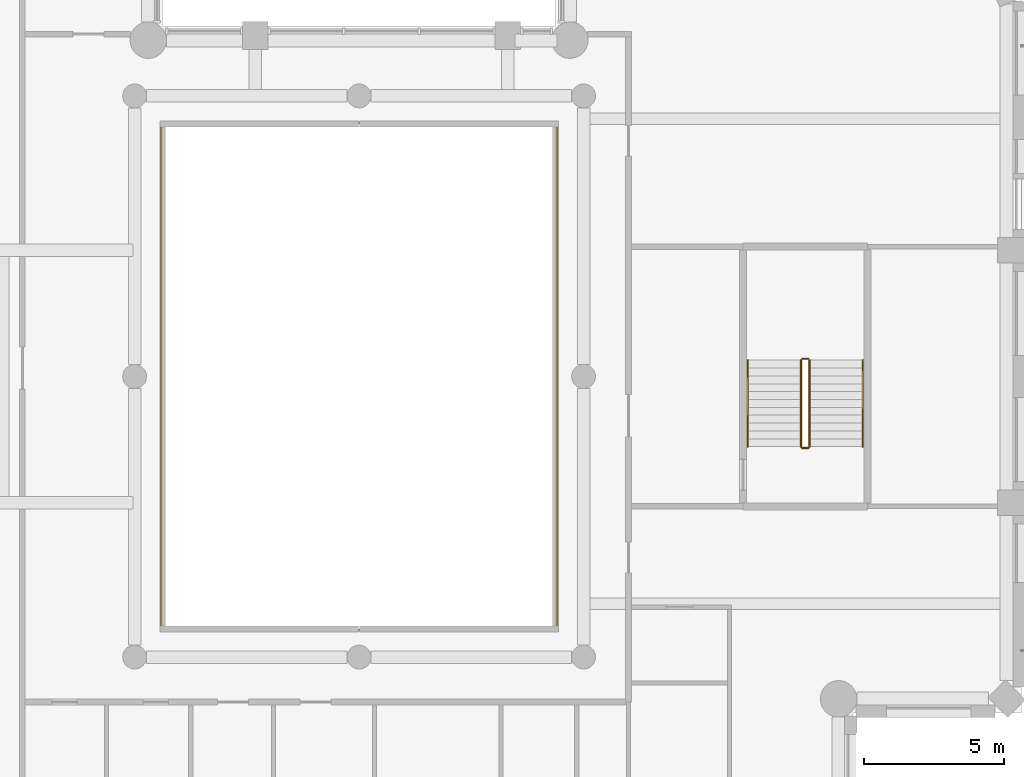
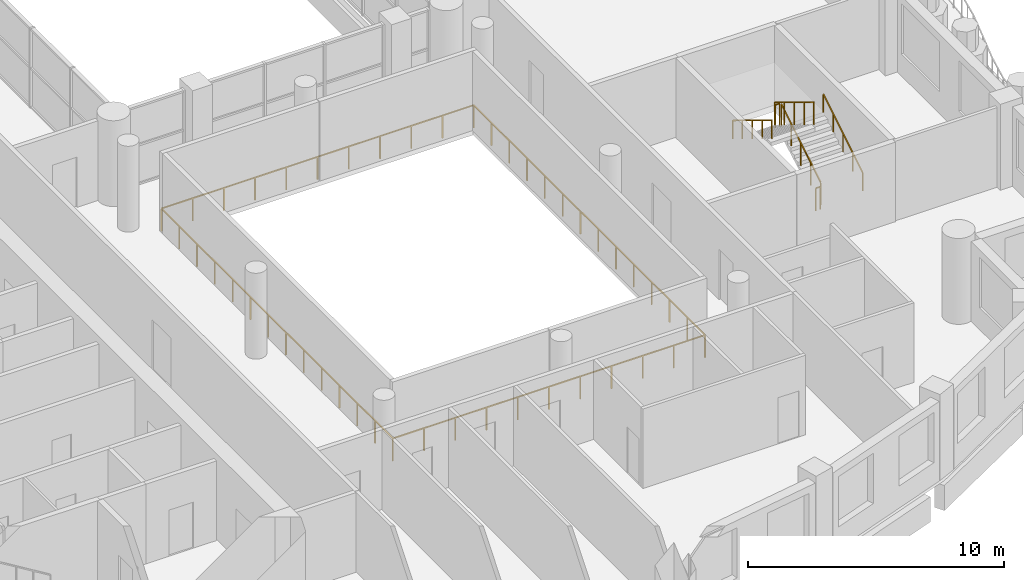
# One storey, part 11 of 14: 7 railings.
"""IFC4 building model written with IfcOpenShell, lengths in metres."""

from ifc_helpers import new_model, si_unit, direction, frame, origin, origin_2d, place, context, subcontext, project, spatial, rectangle, extrude, material, type_object, element, save


model = new_model("IFC4")

# Units and contexts
model_context = context("Model", 3, precision=1e-05, world=origin(), true_north=direction((0.0, 1.0)))
body_context = subcontext(model_context, "Body", "Model", "MODEL_VIEW")
ifc_project = project(units=[si_unit("LENGTHUNIT", "METRE"), si_unit("AREAUNIT", "SQUARE_METRE"), si_unit("VOLUMEUNIT", "CUBIC_METRE"), si_unit("PLANEANGLEUNIT", "RADIAN"), si_unit("MASSUNIT", "GRAM", prefix="KILO")], contexts=[model_context])

# Site, building, storey
site_placement = place(None, origin())
site = spatial("IfcSite", under=ifc_project, at=site_placement, CompositionType="ELEMENT")
building_placement = place(site_placement, origin())
building = spatial("IfcBuilding", under=site, at=building_placement, Name="Cypress Arch Tower", CompositionType="ELEMENT")
storey_placement = place(building_placement, frame((0.0, 0.0, 247.5)))
storey = spatial("IfcBuildingStorey", under=building, at=storey_placement, Name="L55", CompositionType="ELEMENT", Elevation=247.5)

# Railings
ifc_material_1 = material(Name="Stainless steel posts and handrail, laminated glass infill", Category="steel")
railing_type_1 = type_object("IfcRailingType", Name="Atrium guard GR1100A", PredefinedType="GUARDRAIL", material=ifc_material_1)
railing_1_placement = place(storey_placement, frame((8.050048828125, -9.050048828125, 0.0)))
element("IfcRailing", 1, at=railing_1_placement, inside=storey, type_object=railing_type_1, Name="Atrium guard L55", PredefinedType="GUARDRAIL", context=body_context, shape_type="SweptSolid", body=[
    extrude(rectangle(XDim=0.050048828125, YDim=0.050048828125, at=origin_2d()), frame((0.0, 0.0, 1.0751953125), z_axis=(-1.0, 0.0, 0.0), x_axis=(0.0, -1.0, 0.0)), (0.0, 0.0, 1.0), 14.10009765625),
    extrude(rectangle(XDim=0.050048828125, YDim=0.050048828125, at=origin_2d()), frame((-14.10009765625, 0.0, 1.0751953125), z_axis=(0.0, 1.0, 0.0), x_axis=(-1.0, 0.0, 0.0)), (0.0, 0.0, 1.0), 18.10009765625),
    extrude(rectangle(XDim=0.050048828125, YDim=0.050048828125, at=origin_2d()), frame((-14.10009765625, 18.10009765625, 1.0751953125), z_axis=(1.0, 0.0, 0.0), x_axis=(0.0, 1.0, 0.0)), (0.0, 0.0, 1.0), 14.10009765625),
    extrude(rectangle(XDim=0.050048828125, YDim=0.050048828125, at=origin_2d()), frame((0.0, 18.10009765625, 1.0751953125), z_axis=(0.0, -1.0, 0.0), x_axis=(1.0, 0.0, 0.0)), (0.0, 0.0, 1.0), 18.10009765625),
    extrude(rectangle(XDim=0.050048828125, YDim=0.050048828125, at=origin_2d()), origin(), (0.0, 0.0, 1.0), 1.050048828125),
    extrude(rectangle(XDim=0.050048828125, YDim=0.050048828125, at=origin_2d()), frame((-1.409912109375, 0.0, 0.0)), (0.0, 0.0, 1.0), 1.050048828125),
    extrude(rectangle(XDim=0.050048828125, YDim=0.050048828125, at=origin_2d()), frame((-2.820068359375, 0.0, 0.0)), (0.0, 0.0, 1.0), 1.050048828125),
    extrude(rectangle(XDim=0.050048828125, YDim=0.050048828125, at=origin_2d()), frame((-4.22998046875, 0.0, 0.0)), (0.0, 0.0, 1.0), 1.050048828125),
    extrude(rectangle(XDim=0.050048828125, YDim=0.050048828125, at=origin_2d()), frame((-5.64013671875, 0.0, 0.0)), (0.0, 0.0, 1.0), 1.050048828125),
    extrude(rectangle(XDim=0.050048828125, YDim=0.050048828125, at=origin_2d()), frame((-7.050048828125, 0.0, 0.0)), (0.0, 0.0, 1.0), 1.050048828125),
    extrude(rectangle(XDim=0.050048828125, YDim=0.050048828125, at=origin_2d()), frame((-8.4599609375, 0.0, 0.0)), (0.0, 0.0, 1.0), 1.050048828125),
    extrude(rectangle(XDim=0.050048828125, YDim=0.050048828125, at=origin_2d()), frame((-9.8701171875, 0.0, 0.0)), (0.0, 0.0, 1.0), 1.050048828125),
    extrude(rectangle(XDim=0.050048828125, YDim=0.050048828125, at=origin_2d()), frame((-11.280029296875, 0.0, 0.0)), (0.0, 0.0, 1.0), 1.050048828125),
    extrude(rectangle(XDim=0.050048828125, YDim=0.050048828125, at=origin_2d()), frame((-12.690185546875, 0.0, 0.0)), (0.0, 0.0, 1.0), 1.050048828125),
    extrude(rectangle(XDim=0.050048828125, YDim=0.050048828125, at=origin_2d()), frame((-14.10009765625, 0.0, 0.0)), (0.0, 0.0, 1.0), 1.050048828125),
    extrude(rectangle(XDim=0.050048828125, YDim=0.050048828125, at=origin_2d()), frame((-14.10009765625, 1.392333984375, 0.0)), (0.0, 0.0, 1.0), 1.050048828125),
    extrude(rectangle(XDim=0.050048828125, YDim=0.050048828125, at=origin_2d()), frame((-14.10009765625, 2.78466796875, 0.0)), (0.0, 0.0, 1.0), 1.050048828125),
    extrude(rectangle(XDim=0.050048828125, YDim=0.050048828125, at=origin_2d()), frame((-14.10009765625, 4.177001953125, 0.0)), (0.0, 0.0, 1.0), 1.050048828125),
    extrude(rectangle(XDim=0.050048828125, YDim=0.050048828125, at=origin_2d()), frame((-14.10009765625, 5.5693359375, 0.0)), (0.0, 0.0, 1.0), 1.050048828125),
    extrude(rectangle(XDim=0.050048828125, YDim=0.050048828125, at=origin_2d()), frame((-14.10009765625, 6.961669921875, 0.0)), (0.0, 0.0, 1.0), 1.050048828125),
    extrude(rectangle(XDim=0.050048828125, YDim=0.050048828125, at=origin_2d()), frame((-14.10009765625, 8.35400390625, 0.0)), (0.0, 0.0, 1.0), 1.050048828125),
    extrude(rectangle(XDim=0.050048828125, YDim=0.050048828125, at=origin_2d()), frame((-14.10009765625, 9.74609375, 0.0)), (0.0, 0.0, 1.0), 1.050048828125),
    extrude(rectangle(XDim=0.050048828125, YDim=0.050048828125, at=origin_2d()), frame((-14.10009765625, 11.138427734375, 0.0)), (0.0, 0.0, 1.0), 1.050048828125),
    extrude(rectangle(XDim=0.050048828125, YDim=0.050048828125, at=origin_2d()), frame((-14.10009765625, 12.53076171875, 0.0)), (0.0, 0.0, 1.0), 1.050048828125),
    extrude(rectangle(XDim=0.050048828125, YDim=0.050048828125, at=origin_2d()), frame((-14.10009765625, 13.923095703125, 0.0)), (0.0, 0.0, 1.0), 1.050048828125),
    extrude(rectangle(XDim=0.050048828125, YDim=0.050048828125, at=origin_2d()), frame((-14.10009765625, 15.3154296875, 0.0)), (0.0, 0.0, 1.0), 1.050048828125),
    extrude(rectangle(XDim=0.050048828125, YDim=0.050048828125, at=origin_2d()), frame((-14.10009765625, 16.707763671875, 0.0)), (0.0, 0.0, 1.0), 1.050048828125),
    extrude(rectangle(XDim=0.050048828125, YDim=0.050048828125, at=origin_2d()), frame((-14.10009765625, 18.10009765625, 0.0)), (0.0, 0.0, 1.0), 1.050048828125),
    extrude(rectangle(XDim=0.050048828125, YDim=0.050048828125, at=origin_2d()), frame((-12.690185546875, 18.10009765625, 0.0)), (0.0, 0.0, 1.0), 1.050048828125),
    extrude(rectangle(XDim=0.050048828125, YDim=0.050048828125, at=origin_2d()), frame((-11.280029296875, 18.10009765625, 0.0)), (0.0, 0.0, 1.0), 1.050048828125),
    extrude(rectangle(XDim=0.050048828125, YDim=0.050048828125, at=origin_2d()), frame((-9.8701171875, 18.10009765625, 0.0)), (0.0, 0.0, 1.0), 1.050048828125),
    extrude(rectangle(XDim=0.050048828125, YDim=0.050048828125, at=origin_2d()), frame((-8.4599609375, 18.10009765625, 0.0)), (0.0, 0.0, 1.0), 1.050048828125),
    extrude(rectangle(XDim=0.050048828125, YDim=0.050048828125, at=origin_2d()), frame((-7.050048828125, 18.10009765625, 0.0)), (0.0, 0.0, 1.0), 1.050048828125),
    extrude(rectangle(XDim=0.050048828125, YDim=0.050048828125, at=origin_2d()), frame((-5.64013671875, 18.10009765625, 0.0)), (0.0, 0.0, 1.0), 1.050048828125),
    extrude(rectangle(XDim=0.050048828125, YDim=0.050048828125, at=origin_2d()), frame((-4.22998046875, 18.10009765625, 0.0)), (0.0, 0.0, 1.0), 1.050048828125),
    extrude(rectangle(XDim=0.050048828125, YDim=0.050048828125, at=origin_2d()), frame((-2.820068359375, 18.10009765625, 0.0)), (0.0, 0.0, 1.0), 1.050048828125),
    extrude(rectangle(XDim=0.050048828125, YDim=0.050048828125, at=origin_2d()), frame((-1.409912109375, 18.10009765625, 0.0)), (0.0, 0.0, 1.0), 1.050048828125),
    extrude(rectangle(XDim=0.050048828125, YDim=0.050048828125, at=origin_2d()), frame((0.0, 18.10009765625, 0.0)), (0.0, 0.0, 1.0), 1.050048828125),
    extrude(rectangle(XDim=0.050048828125, YDim=0.050048828125, at=origin_2d()), frame((0.0, 16.707763671875, 0.0)), (0.0, 0.0, 1.0), 1.050048828125),
    extrude(rectangle(XDim=0.050048828125, YDim=0.050048828125, at=origin_2d()), frame((0.0, 15.3154296875, 0.0)), (0.0, 0.0, 1.0), 1.050048828125),
    extrude(rectangle(XDim=0.050048828125, YDim=0.050048828125, at=origin_2d()), frame((0.0, 13.923095703125, 0.0)), (0.0, 0.0, 1.0), 1.050048828125),
    extrude(rectangle(XDim=0.050048828125, YDim=0.050048828125, at=origin_2d()), frame((0.0, 12.53076171875, 0.0)), (0.0, 0.0, 1.0), 1.050048828125),
    extrude(rectangle(XDim=0.050048828125, YDim=0.050048828125, at=origin_2d()), frame((0.0, 11.138427734375, 0.0)), (0.0, 0.0, 1.0), 1.050048828125),
    extrude(rectangle(XDim=0.050048828125, YDim=0.050048828125, at=origin_2d()), frame((0.0, 9.74609375, 0.0)), (0.0, 0.0, 1.0), 1.050048828125),
    extrude(rectangle(XDim=0.050048828125, YDim=0.050048828125, at=origin_2d()), frame((0.0, 8.35400390625, 0.0)), (0.0, 0.0, 1.0), 1.050048828125),
    extrude(rectangle(XDim=0.050048828125, YDim=0.050048828125, at=origin_2d()), frame((0.0, 6.961669921875, 0.0)), (0.0, 0.0, 1.0), 1.050048828125),
    extrude(rectangle(XDim=0.050048828125, YDim=0.050048828125, at=origin_2d()), frame((0.0, 5.5693359375, 0.0)), (0.0, 0.0, 1.0), 1.050048828125),
    extrude(rectangle(XDim=0.050048828125, YDim=0.050048828125, at=origin_2d()), frame((0.0, 4.177001953125, 0.0)), (0.0, 0.0, 1.0), 1.050048828125),
    extrude(rectangle(XDim=0.050048828125, YDim=0.050048828125, at=origin_2d()), frame((0.0, 2.78466796875, 0.0)), (0.0, 0.0, 1.0), 1.050048828125),
    extrude(rectangle(XDim=0.050048828125, YDim=0.050048828125, at=origin_2d()), frame((0.0, 1.392333984375, 0.0)), (0.0, 0.0, 1.0), 1.050048828125),
])
ifc_material_2 = material(Name="Black powder-coated steel square bar 48 mm", Category="steel")
railing_type_2 = type_object("IfcRailingType", Name="Stair handrail HR1", PredefinedType="HANDRAIL", material=ifc_material_2)
railing_2_placement = place(storey_placement, frame((18.949951171875, -2.5, 0.1708984375)))
element("IfcRailing", 2, at=railing_2_placement, inside=storey, type_object=railing_type_2, Name="L55 C stair handrail 1", PredefinedType="HANDRAIL", context=body_context, shape_type="SweptSolid", body=[
    extrude(rectangle(XDim=0.048095703125, YDim=0.048095703125, at=origin_2d()), frame((0.0, 0.0, 0.8759765625), z_axis=(0.0, 0.853666305674, 0.52082035152), x_axis=(-1.0, 0.0, 0.0)), (0.0, 0.0, 1.0), 3.608154296875),
    extrude(rectangle(XDim=0.0419921875, YDim=0.0419921875, at=origin_2d()), origin(), (0.0, 0.0, 1.0), 0.851806640625),
    extrude(rectangle(XDim=0.0419921875, YDim=0.0419921875, at=origin_2d()), frame((0.0, 0.77001953125, 0.4697265625)), (0.0, 0.0, 1.0), 0.851806640625),
    extrude(rectangle(XDim=0.0419921875, YDim=0.0419921875, at=origin_2d()), frame((0.0, 1.5400390625, 0.939453125)), (0.0, 0.0, 1.0), 0.851806640625),
    extrude(rectangle(XDim=0.0419921875, YDim=0.0419921875, at=origin_2d()), frame((0.0, 2.31005859375, 1.409423828125)), (0.0, 0.0, 1.0), 0.851806640625),
    extrude(rectangle(XDim=0.0419921875, YDim=0.0419921875, at=origin_2d()), frame((0.0, 3.080078125, 1.879150390625)), (0.0, 0.0, 1.0), 0.851806640625),
])
railing_3_placement = place(storey_placement, frame((14.85009765625, 0.580078125, 2.220947265625)))
element("IfcRailing", 3, at=railing_3_placement, inside=storey, type_object=railing_type_2, Name="L55 C stair handrail 2", PredefinedType="HANDRAIL", context=body_context, shape_type="SweptSolid", body=[
    extrude(rectangle(XDim=0.048095703125, YDim=0.048095703125, at=origin_2d()), frame((0.0, 0.0, 0.8759765625), z_axis=(0.0, -0.853666305674, 0.52082035152), x_axis=(1.0, 0.0, 0.0)), (0.0, 0.0, 1.0), 3.608154296875),
    extrude(rectangle(XDim=0.0419921875, YDim=0.0419921875, at=origin_2d()), origin(), (0.0, 0.0, 1.0), 0.851806640625),
    extrude(rectangle(XDim=0.0419921875, YDim=0.0419921875, at=origin_2d()), frame((0.0, -0.77001953125, 0.4697265625)), (0.0, 0.0, 1.0), 0.851806640625),
    extrude(rectangle(XDim=0.0419921875, YDim=0.0419921875, at=origin_2d()), frame((0.0, -1.5400390625, 0.939453125)), (0.0, 0.0, 1.0), 0.851806640625),
    extrude(rectangle(XDim=0.0419921875, YDim=0.0419921875, at=origin_2d()), frame((0.0, -2.31005859375, 1.409423828125)), (0.0, 0.0, 1.0), 0.851806640625),
    extrude(rectangle(XDim=0.0419921875, YDim=0.0419921875, at=origin_2d()), frame((0.0, -3.080078125, 1.879150390625)), (0.0, 0.0, 1.0), 0.851806640625),
])
ifc_material_3 = material(Name="Black powder-coated steel balusters", Category="steel")
railing_type_3 = type_object("IfcRailingType", Name="Stair well guard G1", PredefinedType="GUARDRAIL", material=ifc_material_3)
railing_4_placement = place(storey_placement, frame((17.050048828125, -2.5, 0.1708984375)))
element("IfcRailing", 4, at=railing_4_placement, inside=storey, type_object=railing_type_3, Name="L55 C stair guard 1", PredefinedType="GUARDRAIL", context=body_context, shape_type="SweptSolid", body=[
    extrude(rectangle(XDim=0.048095703125, YDim=0.048095703125, at=origin_2d()), frame((0.0, 0.0, 1.076171875), z_axis=(0.0, 0.853666305674, 0.52082035152), x_axis=(-1.0, 0.0, 0.0)), (0.0, 0.0, 1.0), 3.608154296875),
    extrude(rectangle(XDim=0.0419921875, YDim=0.0419921875, at=origin_2d()), origin(), (0.0, 0.0, 1.0), 1.052001953125),
    extrude(rectangle(XDim=0.0419921875, YDim=0.0419921875, at=origin_2d()), frame((0.0, 0.77001953125, 0.4697265625)), (0.0, 0.0, 1.0), 1.052001953125),
    extrude(rectangle(XDim=0.0419921875, YDim=0.0419921875, at=origin_2d()), frame((0.0, 1.5400390625, 0.939453125)), (0.0, 0.0, 1.0), 1.052001953125),
    extrude(rectangle(XDim=0.0419921875, YDim=0.0419921875, at=origin_2d()), frame((0.0, 2.31005859375, 1.409423828125)), (0.0, 0.0, 1.0), 1.052001953125),
    extrude(rectangle(XDim=0.0419921875, YDim=0.0419921875, at=origin_2d()), frame((0.0, 3.080078125, 1.879150390625)), (0.0, 0.0, 1.0), 1.052001953125),
])
railing_5_placement = place(storey_placement, frame((17.0, 0.6298828125, 2.050048828125)))
element("IfcRailing", 5, at=railing_5_placement, inside=storey, type_object=railing_type_3, Name="L55 C stair guard 2", PredefinedType="GUARDRAIL", context=body_context, shape_type="SweptSolid", body=[
    extrude(rectangle(XDim=0.048095703125, YDim=0.048095703125, at=origin_2d()), frame((0.0, 0.0, 1.076171875), z_axis=(-1.0, 0.0, 0.0), x_axis=(0.0, -1.0, 0.0)), (0.0, 0.0, 1.0), 0.199951171875),
    extrude(rectangle(XDim=0.0419921875, YDim=0.0419921875, at=origin_2d()), origin(), (0.0, 0.0, 1.0), 1.052001953125),
    extrude(rectangle(XDim=0.0419921875, YDim=0.0419921875, at=origin_2d()), frame((-0.199951171875, 0.0, 0.0)), (0.0, 0.0, 1.0), 1.052001953125),
])
railing_6_placement = place(storey_placement, frame((16.75, 0.580078125, 2.220947265625)))
element("IfcRailing", 6, at=railing_6_placement, inside=storey, type_object=railing_type_3, Name="L55 C stair guard 3", PredefinedType="GUARDRAIL", context=body_context, shape_type="SweptSolid", body=[
    extrude(rectangle(XDim=0.048095703125, YDim=0.048095703125, at=origin_2d()), frame((0.0, 0.0, 1.076171875), z_axis=(0.0, -0.853666305674, 0.52082035152), x_axis=(1.0, 0.0, 0.0)), (0.0, 0.0, 1.0), 3.608154296875),
    extrude(rectangle(XDim=0.0419921875, YDim=0.0419921875, at=origin_2d()), origin(), (0.0, 0.0, 1.0), 1.052001953125),
    extrude(rectangle(XDim=0.0419921875, YDim=0.0419921875, at=origin_2d()), frame((0.0, -0.77001953125, 0.4697265625)), (0.0, 0.0, 1.0), 1.052001953125),
    extrude(rectangle(XDim=0.0419921875, YDim=0.0419921875, at=origin_2d()), frame((0.0, -1.5400390625, 0.939453125)), (0.0, 0.0, 1.0), 1.052001953125),
    extrude(rectangle(XDim=0.0419921875, YDim=0.0419921875, at=origin_2d()), frame((0.0, -2.31005859375, 1.409423828125)), (0.0, 0.0, 1.0), 1.052001953125),
    extrude(rectangle(XDim=0.0419921875, YDim=0.0419921875, at=origin_2d()), frame((0.0, -3.080078125, 1.879150390625)), (0.0, 0.0, 1.0), 1.052001953125),
])
railing_7_placement = place(storey_placement, frame((17.0, -2.550048828125, 0.0)))
element("IfcRailing", 7, at=railing_7_placement, inside=storey, type_object=railing_type_3, Name="L55 C stair guard 4", PredefinedType="GUARDRAIL", context=body_context, shape_type="SweptSolid", body=[
    extrude(rectangle(XDim=0.048095703125, YDim=0.048095703125, at=origin_2d()), frame((0.0, 0.0, 1.076171875), z_axis=(-1.0, 0.0, 0.0), x_axis=(0.0, -1.0, 0.0)), (0.0, 0.0, 1.0), 0.199951171875),
    extrude(rectangle(XDim=0.0419921875, YDim=0.0419921875, at=origin_2d()), origin(), (0.0, 0.0, 1.0), 1.052001953125),
    extrude(rectangle(XDim=0.0419921875, YDim=0.0419921875, at=origin_2d()), frame((-0.199951171875, 0.0, 0.0)), (0.0, 0.0, 1.0), 1.052001953125),
])

save(model, "model.ifc")
